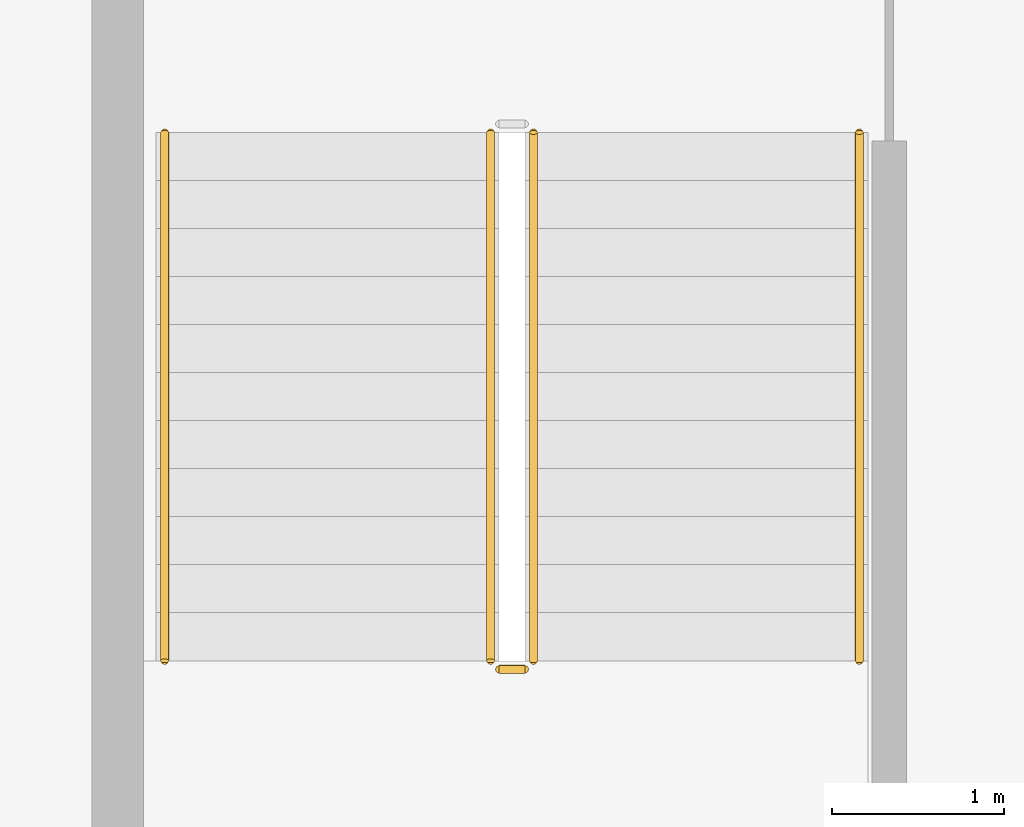
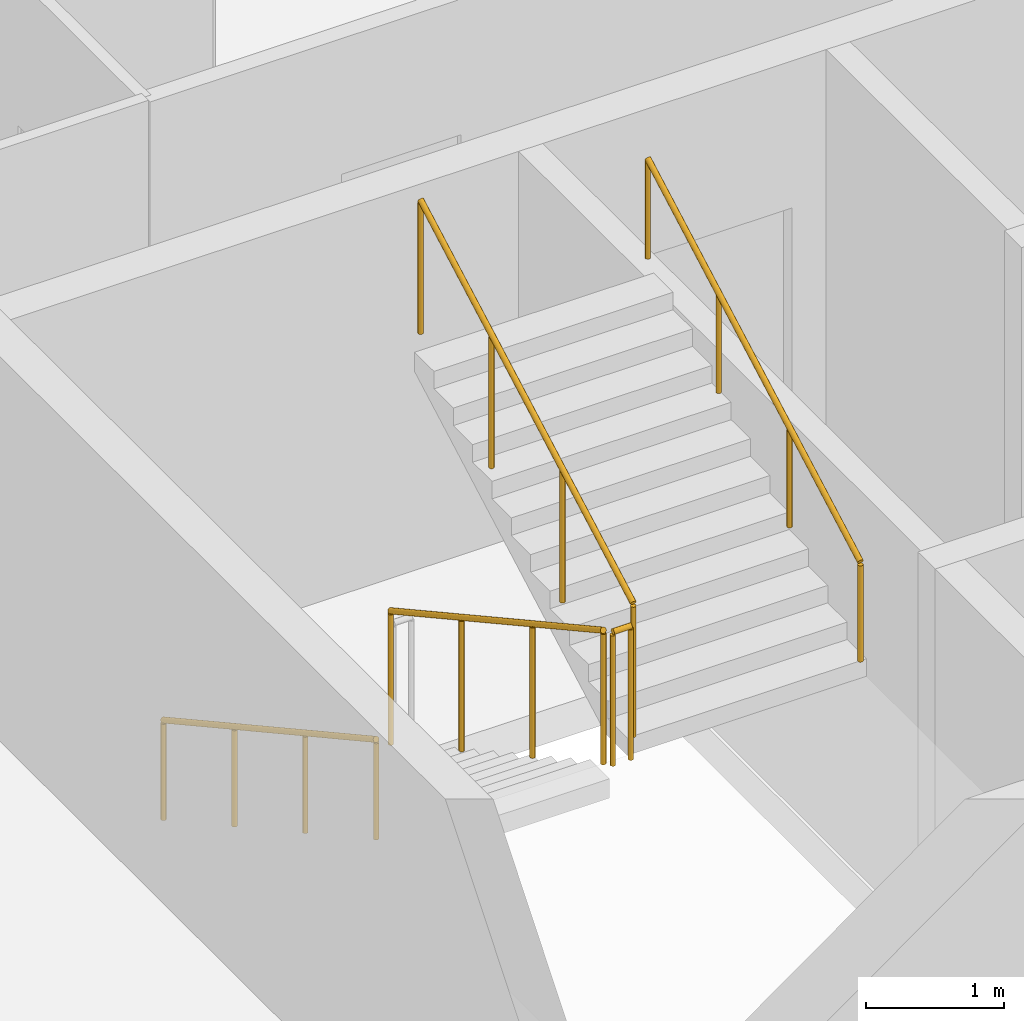
# One storey, part 9 of 11: 5 railings.
"""IFC4 building model written with IfcOpenShell, lengths in metres."""

from ifc_helpers import new_model, si_unit, direction, frame, origin, origin_2d, place, context, subcontext, project, spatial, circle, extrude, material, type_object, element, save


model = new_model("IFC4")

# Units and contexts
model_context = context("Model", 3, precision=1e-05, world=origin(), true_north=direction((0.0, 1.0)))
body_context = subcontext(model_context, "Body", "Model", "MODEL_VIEW")
ifc_project = project(units=[si_unit("LENGTHUNIT", "METRE"), si_unit("AREAUNIT", "SQUARE_METRE"), si_unit("VOLUMEUNIT", "CUBIC_METRE"), si_unit("PLANEANGLEUNIT", "RADIAN"), si_unit("MASSUNIT", "GRAM", prefix="KILO")], contexts=[model_context])

# Site, building, storey
site_placement = place(None, origin())
site = spatial("IfcSite", under=ifc_project, at=site_placement, CompositionType="ELEMENT")
building_placement = place(site_placement, origin())
building = spatial("IfcBuilding", under=site, at=building_placement, Name="Caravel Reach Hotel and Residences", CompositionType="ELEMENT")
storey_placement = place(building_placement, frame((0.0, 0.0, 287.10009765625)))
storey = spatial("IfcBuildingStorey", under=building, at=storey_placement, Name="L73", CompositionType="ELEMENT", Elevation=287.10009765625)

# Railings
ifc_material_1 = material(Name="Steel balustrade with glass infill", Category="steel")
railing_type_1 = type_object("IfcRailingType", Name="Guard 1200", PredefinedType="GUARDRAIL", material=ifc_material_1)
railing_1_placement = place(storey_placement, frame((20.175048828125, 29.35009765625, 0.154052734375)))
element("IfcRailing", 1, at=railing_1_placement, inside=storey, type_object=railing_type_1, Name="L73 ST-A stair guard 1", PredefinedType="GUARDRAIL", context=body_context, shape_type="SweptSolid", body=[
    extrude(circle(Radius=0.02392578125, at=origin_2d()), frame((0.0, 0.0, 1.17578125), z_axis=(0.0, -0.876004717809, 0.482302534076), x_axis=(1.0, 0.0, 0.0)), (0.0, 0.0, 1.0), 3.51611328125),
    extrude(circle(Radius=0.02099609375, at=origin_2d()), origin(), (0.0, 0.0, 1.0), 1.15185546875),
    extrude(circle(Radius=0.02099609375, at=origin_2d()), frame((0.0, -1.026611328125, 0.565185546875)), (0.0, 0.0, 1.0), 1.15185546875),
    extrude(circle(Radius=0.02099609375, at=origin_2d()), frame((0.0, -2.053466796875, 1.130615234375)), (0.0, 0.0, 1.0), 1.15185546875),
    extrude(circle(Radius=0.02099609375, at=origin_2d()), frame((0.0, -3.080078125, 1.69580078125)), (0.0, 0.0, 1.0), 1.15185546875),
])
railing_2_placement = place(storey_placement, frame((20.22509765625, 26.219970703125, 1.849853515625)))
element("IfcRailing", 2, at=railing_2_placement, inside=storey, type_object=railing_type_1, Name="L73 ST-A stair guard 2", PredefinedType="GUARDRAIL", context=body_context, shape_type="SweptSolid", body=[
    extrude(circle(Radius=0.02392578125, at=origin_2d()), frame((0.0, 0.0, 1.17578125), z_axis=(1.0, 0.0, 0.0), x_axis=(0.0, 1.0, 0.0)), (0.0, 0.0, 1.0), 0.14990234375),
    extrude(circle(Radius=0.02099609375, at=origin_2d()), origin(), (0.0, 0.0, 1.0), 1.15185546875),
    extrude(circle(Radius=0.02099609375, at=origin_2d()), frame((0.14990234375, 0.0, 0.0)), (0.0, 0.0, 1.0), 1.15185546875),
])
railing_3_placement = place(storey_placement, frame((20.425048828125, 26.27001953125, 2.004150390625)))
element("IfcRailing", 3, at=railing_3_placement, inside=storey, type_object=railing_type_1, Name="L73 ST-A stair guard 3", PredefinedType="GUARDRAIL", context=body_context, shape_type="SweptSolid", body=[
    extrude(circle(Radius=0.02392578125, at=origin_2d()), frame((0.0, 0.0, 1.17578125), z_axis=(0.0, 0.876004717809, 0.482302534076), x_axis=(-1.0, 0.0, 0.0)), (0.0, 0.0, 1.0), 3.51611328125),
    extrude(circle(Radius=0.02099609375, at=origin_2d()), origin(), (0.0, 0.0, 1.0), 1.15185546875),
    extrude(circle(Radius=0.02099609375, at=origin_2d()), frame((0.0, 1.026611328125, 0.565185546875)), (0.0, 0.0, 1.0), 1.15185546875),
    extrude(circle(Radius=0.02099609375, at=origin_2d()), frame((0.0, 2.053466796875, 1.130615234375)), (0.0, 0.0, 1.0), 1.15185546875),
    extrude(circle(Radius=0.02099609375, at=origin_2d()), frame((0.0, 3.080078125, 1.69580078125)), (0.0, 0.0, 1.0), 1.15185546875),
])
ifc_material_2 = material(Name="Stainless steel handrail", Category="steel")
railing_type_2 = type_object("IfcRailingType", Name="Handrail 900", PredefinedType="HANDRAIL", material=ifc_material_2)
railing_4_placement = place(storey_placement, frame((18.27490234375, 29.35009765625, 0.154052734375)))
element("IfcRailing", 4, at=railing_4_placement, inside=storey, type_object=railing_type_2, Name="L73 ST-A stair handrail 1", PredefinedType="HANDRAIL", context=body_context, shape_type="SweptSolid", body=[
    extrude(circle(Radius=0.02392578125, at=origin_2d()), frame((0.0, 0.0, 0.8759765625), z_axis=(0.0, -0.876004717809, 0.482302534076), x_axis=(1.0, 0.0, 0.0)), (0.0, 0.0, 1.0), 3.51611328125),
    extrude(circle(Radius=0.02099609375, at=origin_2d()), origin(), (0.0, 0.0, 1.0), 0.851806640625),
    extrude(circle(Radius=0.02099609375, at=origin_2d()), frame((0.0, -1.026611328125, 0.565185546875)), (0.0, 0.0, 1.0), 0.851806640625),
    extrude(circle(Radius=0.02099609375, at=origin_2d()), frame((0.0, -2.053466796875, 1.130615234375)), (0.0, 0.0, 1.0), 0.851806640625),
    extrude(circle(Radius=0.02099609375, at=origin_2d()), frame((0.0, -3.080078125, 1.69580078125)), (0.0, 0.0, 1.0), 0.851806640625),
])
railing_5_placement = place(storey_placement, frame((22.324951171875, 26.27001953125, 2.004150390625)))
element("IfcRailing", 5, at=railing_5_placement, inside=storey, type_object=railing_type_2, Name="L73 ST-A stair handrail 2", PredefinedType="HANDRAIL", context=body_context, shape_type="SweptSolid", body=[
    extrude(circle(Radius=0.02392578125, at=origin_2d()), frame((0.0, 0.0, 0.8759765625), z_axis=(0.0, 0.876004717809, 0.482302534076), x_axis=(-1.0, 0.0, 0.0)), (0.0, 0.0, 1.0), 3.51611328125),
    extrude(circle(Radius=0.02099609375, at=origin_2d()), origin(), (0.0, 0.0, 1.0), 0.851806640625),
    extrude(circle(Radius=0.02099609375, at=origin_2d()), frame((0.0, 1.026611328125, 0.565185546875)), (0.0, 0.0, 1.0), 0.851806640625),
    extrude(circle(Radius=0.02099609375, at=origin_2d()), frame((0.0, 2.053466796875, 1.130615234375)), (0.0, 0.0, 1.0), 0.851806640625),
    extrude(circle(Radius=0.02099609375, at=origin_2d()), frame((0.0, 3.080078125, 1.69580078125)), (0.0, 0.0, 1.0), 0.851806640625),
])

save(model, "model.ifc")
